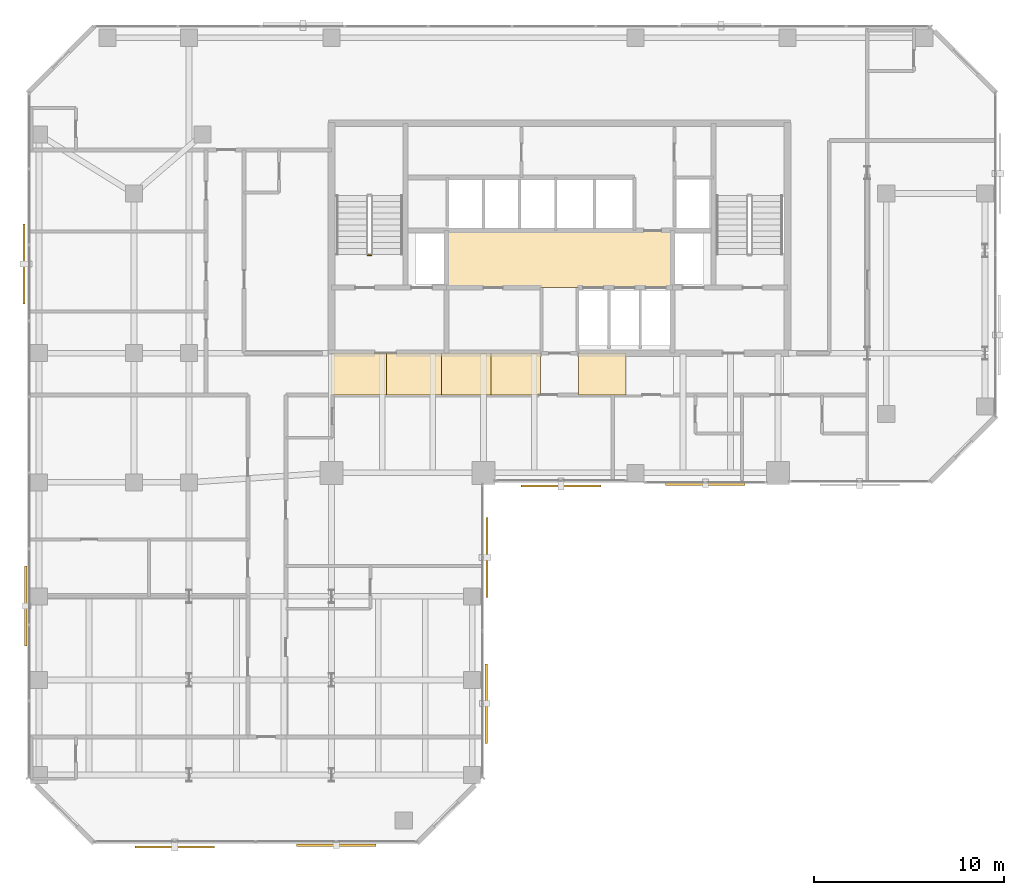
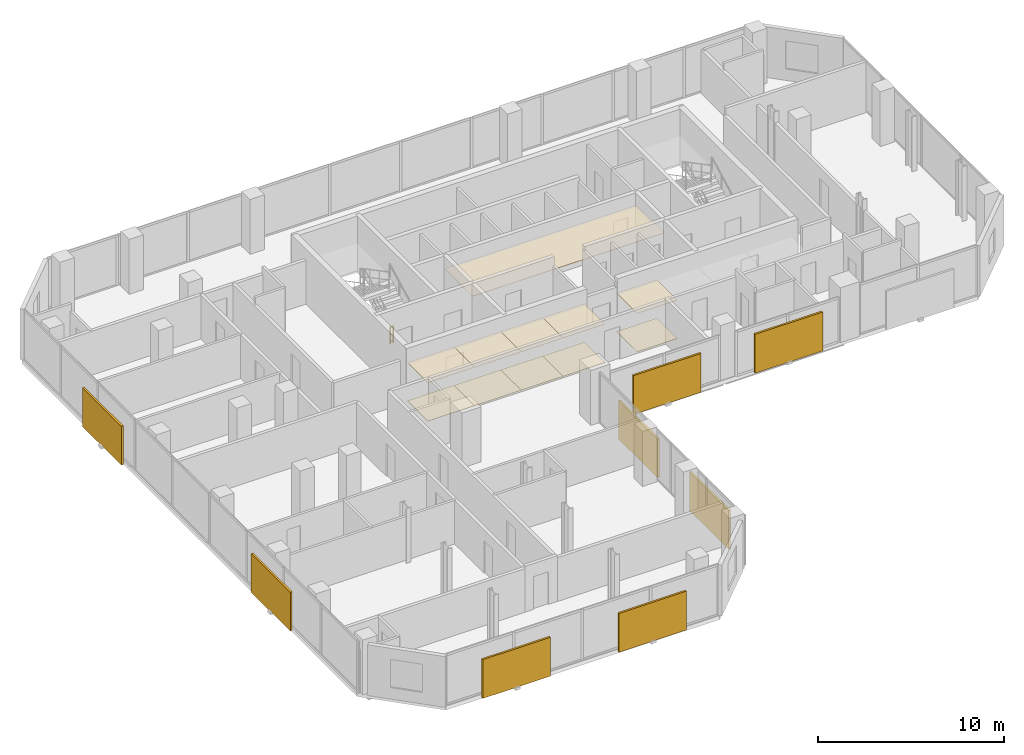
# One storey, part 33 of 34: 11 coverings, 8 shading devices, 1 railing.
"""IFC4 building model written with IfcOpenShell, lengths in metres."""

from ifc_helpers import new_model, si_unit, direction, frame, origin, origin_2d, place, context, subcontext, project, spatial, polyline, rectangle, circle, outline, extrude, material, layer, layer_set, type_object, element, save


model = new_model("IFC4")

# Units and contexts
model_context = context("Model", 3, precision=1e-05, world=origin(), true_north=direction((0.0, 1.0)))
body_context = subcontext(model_context, "Body", "Model", "MODEL_VIEW")
ifc_project = project(units=[si_unit("LENGTHUNIT", "METRE"), si_unit("AREAUNIT", "SQUARE_METRE"), si_unit("VOLUMEUNIT", "CUBIC_METRE"), si_unit("PLANEANGLEUNIT", "RADIAN"), si_unit("MASSUNIT", "GRAM", prefix="KILO")], contexts=[model_context])

# Site, building, storey
site_placement = place(None, origin())
site = spatial("IfcSite", under=ifc_project, at=site_placement, CompositionType="ELEMENT")
building_placement = place(site_placement, origin())
building = spatial("IfcBuilding", under=site, at=building_placement, Name="Catumbela Crestline Tower", CompositionType="ELEMENT")
storey_placement = place(building_placement, frame((0.0, 0.0, 115.2)))
storey = spatial("IfcBuildingStorey", under=building, at=storey_placement, Name="L29", CompositionType="ELEMENT", Elevation=115.2)

# Coverings
ifc_material_1 = material(Name="Mineral-fibre acoustic ceiling")
ifc_layer_1 = layer(ifc_material_1, 0.03, Name="Mineral-fibre acoustic ceiling")
ifc_layer_set_1 = layer_set([ifc_layer_1], Name="Mineral-fibre acoustic ceiling")
covering_type_1 = type_object("IfcCoveringType", Name="CC-AC", PredefinedType="CEILING", material=ifc_layer_set_1)
covering_1_placement = place(storey_placement, frame((0.0, 0.0, 2.65)))
element("IfcCovering", 1, at=covering_1_placement, inside=storey, type_object=covering_type_1, Name="L29 Lift Lobby Acoustic Ceiling", PredefinedType="CEILING", context=body_context, shape_type="SweptSolid", body=[
    extrude(outline(polyline([(22.05, 34.25), (33.95, 34.25), (33.95, 37.25), (22.05, 37.25), (22.05, 34.25)])), origin(), (0.0, 0.0, 1.0), 0.03),
])
covering_2_placement = place(storey_placement, frame((0.0, 0.0, 2.52)))
element("IfcCovering", 2, at=covering_2_placement, inside=storey, type_object=covering_type_1, Name="L29 Corridor Acoustic Ceiling Bay 1", PredefinedType="CEILING", context=body_context, shape_type="SweptSolid", body=[
    extrude(outline(polyline([(16.0, 28.6), (18.9, 28.6), (18.9, 30.8), (16.0, 30.8), (16.0, 28.6)])), origin(), (0.0, 0.0, 1.0), 0.03),
])
covering_3_placement = place(storey_placement, frame((0.0, 0.0, 2.52)))
element("IfcCovering", 3, at=covering_3_placement, inside=storey, type_object=covering_type_1, Name="L29 Corridor Acoustic Ceiling Bay 2", PredefinedType="CEILING", context=body_context, shape_type="SweptSolid", body=[
    extrude(outline(polyline([(18.9, 28.6), (21.8, 28.6), (21.8, 30.8), (18.9, 30.8), (18.9, 28.6)])), origin(), (0.0, 0.0, 1.0), 0.03),
])
covering_4_placement = place(storey_placement, frame((0.0, 0.0, 2.52)))
element("IfcCovering", 4, at=covering_4_placement, inside=storey, type_object=covering_type_1, Name="L29 Corridor Acoustic Ceiling Bay 3", PredefinedType="CEILING", context=body_context, shape_type="SweptSolid", body=[
    extrude(outline(polyline([(21.8, 28.6), (24.4, 28.6), (24.4, 30.8), (21.8, 30.8), (21.8, 28.6)])), origin(), (0.0, 0.0, 1.0), 0.03),
])
covering_5_placement = place(storey_placement, frame((0.0, 0.0, 2.52)))
element("IfcCovering", 5, at=covering_5_placement, inside=storey, type_object=covering_type_1, Name="L29 Corridor Acoustic Ceiling Bay 4", PredefinedType="CEILING", context=body_context, shape_type="SweptSolid", body=[
    extrude(outline(polyline([(24.4, 28.6), (27.0, 28.6), (27.0, 30.8), (24.4, 30.8), (24.4, 28.6)])), origin(), (0.0, 0.0, 1.0), 0.03),
])
covering_6_placement = place(storey_placement, frame((0.0, 0.0, 2.52)))
element("IfcCovering", 6, at=covering_6_placement, inside=storey, type_object=covering_type_1, Name="L29 Corridor Acoustic Ceiling Bay 5", PredefinedType="CEILING", context=body_context, shape_type="SweptSolid", body=[
    extrude(outline(polyline([(29.0, 28.6), (31.5, 28.6), (31.5, 30.8), (29.0, 30.8), (29.0, 28.6)])), origin(), (0.0, 0.0, 1.0), 0.03),
])
ifc_material_2 = material(Name="Angolan grey-ochre granite", Category="masonry")
ifc_layer_2 = layer(ifc_material_2, 0.025, Name="Angolan grey-ochre granite")
ifc_layer_set_2 = layer_set([ifc_layer_2], Name="Angolan grey-ochre granite")
covering_type_2 = type_object("IfcCoveringType", Name="CF-GR", PredefinedType="FLOORING", material=ifc_layer_set_2)
covering_7_placement = place(storey_placement, origin())
element("IfcCovering", 7, at=covering_7_placement, inside=storey, type_object=covering_type_2, Name="L29 Corridor Granite Flooring Bay 1", PredefinedType="FLOORING", context=body_context, shape_type="SweptSolid", body=[
    extrude(outline(polyline([(16.0, 28.6), (18.9, 28.6), (18.9, 30.8), (16.0, 30.8), (16.0, 28.6)])), origin(), (0.0, 0.0, 1.0), 0.025),
])
covering_8_placement = place(storey_placement, origin())
element("IfcCovering", 8, at=covering_8_placement, inside=storey, type_object=covering_type_2, Name="L29 Corridor Granite Flooring Bay 2", PredefinedType="FLOORING", context=body_context, shape_type="SweptSolid", body=[
    extrude(outline(polyline([(18.9, 28.6), (21.8, 28.6), (21.8, 30.8), (18.9, 30.8), (18.9, 28.6)])), origin(), (0.0, 0.0, 1.0), 0.025),
])
covering_9_placement = place(storey_placement, origin())
element("IfcCovering", 9, at=covering_9_placement, inside=storey, type_object=covering_type_2, Name="L29 Corridor Granite Flooring Bay 3", PredefinedType="FLOORING", context=body_context, shape_type="SweptSolid", body=[
    extrude(outline(polyline([(21.8, 28.6), (24.4, 28.6), (24.4, 30.8), (21.8, 30.8), (21.8, 28.6)])), origin(), (0.0, 0.0, 1.0), 0.025),
])
covering_10_placement = place(storey_placement, origin())
element("IfcCovering", 10, at=covering_10_placement, inside=storey, type_object=covering_type_2, Name="L29 Corridor Granite Flooring Bay 4", PredefinedType="FLOORING", context=body_context, shape_type="SweptSolid", body=[
    extrude(outline(polyline([(24.4, 28.6), (27.0, 28.6), (27.0, 30.8), (24.4, 30.8), (24.4, 28.6)])), origin(), (0.0, 0.0, 1.0), 0.025),
])
covering_11_placement = place(storey_placement, origin())
element("IfcCovering", 11, at=covering_11_placement, inside=storey, type_object=covering_type_2, Name="L29 Corridor Granite Flooring Bay 5", PredefinedType="FLOORING", context=body_context, shape_type="SweptSolid", body=[
    extrude(outline(polyline([(29.0, 28.6), (31.5, 28.6), (31.5, 30.8), (29.0, 30.8), (29.0, 28.6)])), origin(), (0.0, 0.0, 1.0), 0.025),
])

# Railing
ifc_material_3 = material(Name="Stainless steel EN 1.4401", Category="steel")
railing_type = type_object("IfcRailingType", Name="RG-1100", PredefinedType="GUARDRAIL", material=ifc_material_3)
railing_placement = place(storey_placement, frame((18.09, 35.95, 0.0)))
element("IfcRailing", 12, at=railing_placement, inside=storey, type_object=railing_type, Name="L29 ST-01 stair guard 4", PredefinedType="GUARDRAIL", context=body_context, shape_type="SweptSolid", body=[
    extrude(circle(Radius=0.024, at=origin_2d()), frame((0.0, 0.0, 1.076), z_axis=(-1.0, 0.0, 0.0), x_axis=(0.0, -1.0, 0.0)), (0.0, 0.0, 1.0), 0.18),
    extrude(circle(Radius=0.0156, at=origin_2d()), frame((0.0, 0.0, 0.55), z_axis=(-1.0, 0.0, 0.0), x_axis=(0.0, -1.0, 0.0)), (0.0, 0.0, 1.0), 0.18),
    extrude(circle(Radius=0.0156, at=origin_2d()), frame((0.0, 0.0, 0.12), z_axis=(-1.0, 0.0, 0.0), x_axis=(0.0, -1.0, 0.0)), (0.0, 0.0, 1.0), 0.18),
    extrude(circle(Radius=0.021, at=origin_2d()), origin(), (0.0, 0.0, 1.0), 1.052),
    extrude(circle(Radius=0.021, at=origin_2d()), frame((-0.18, 0.0, 0.0)), (0.0, 0.0, 1.0), 1.052),
])

# Shading devices
ifc_material_4 = material(Name="Extruded terracotta ceramic", Category="masonry")
shading_device_type_1 = type_object("IfcShadingDeviceType", Name="ST-180", PredefinedType="USERDEFINED", material=ifc_material_4)
for number, where, z_axis, x_axis, name in (
    (13, (16.25, 4.901, -0.1), (0.0, 0.0, 1.0), (1.0, 0.0, 0.0), "L29 Perforated Terracotta Solar Screen 303 (180 mm)"),
    (14, (35.675, 23.901, -0.1), (0.0, 0.0, 1.0), (1.0, 0.0, 0.0), "L29 Perforated Terracotta Solar Screen 307 (180 mm)"),
    (15, (-0.099, 17.5, -0.1), (0.0, 0.0, 1.0), (0.0, -1.0, 0.0), "L29 Perforated Terracotta Solar Screen 314 (180 mm)"),
):
    element("IfcShadingDevice", number, at=place(storey_placement, frame(where, z_axis=z_axis, x_axis=x_axis)), inside=storey, type_object=shading_device_type_1, Name=name, ObjectType="SCREEN", PredefinedType="USERDEFINED", context=body_context, shape_type="SweptSolid", body=[
        extrude(rectangle(XDim=4.2, YDim=0.12, at=origin_2d()), origin(), (0.0, 0.0, 1.0), 2.55),
    ])
shading_device_type_2 = type_object("IfcShadingDeviceType", Name="ST-260", PredefinedType="USERDEFINED", material=ifc_material_4)
shading_device_placement = place(storey_placement, frame((24.143, 12.35, -0.1), z_axis=(0.0, 0.0, 1.0), x_axis=(0.0, 1.0, 0.0)))
element("IfcShadingDevice", 16, at=shading_device_placement, inside=storey, type_object=shading_device_type_2, Name="L29 Perforated Terracotta Solar Screen 304 (260 mm)", ObjectType="SCREEN", PredefinedType="USERDEFINED", context=body_context, shape_type="SweptSolid", body=[
    extrude(rectangle(XDim=4.2, YDim=0.12, at=origin_2d()), origin(), (0.0, 0.0, 1.0), 2.55),
])
shading_device_type_3 = type_object("IfcShadingDeviceType", Name="ST-340", PredefinedType="USERDEFINED", material=ifc_material_4)
for number, where, z_axis, x_axis, name in (
    (17, (7.75, 4.813, -0.1), (0.0, 0.0, 1.0), (1.0, 0.0, 0.0), "L29 Perforated Terracotta Solar Screen 302 (340 mm)"),
    (18, (24.187, 20.05, -0.1), (0.0, 0.0, 1.0), (0.0, 1.0, 0.0), "L29 Perforated Terracotta Solar Screen 305 (340 mm)"),
    (19, (28.075, 23.813, -0.1), (0.0, 0.0, 1.0), (1.0, 0.0, 0.0), "L29 Perforated Terracotta Solar Screen 306 (340 mm)"),
    (20, (-0.187, 35.5, -0.1), (0.0, 0.0, 1.0), (0.0, -1.0, 0.0), "L29 Perforated Terracotta Solar Screen 313 (340 mm)"),
):
    element("IfcShadingDevice", number, at=place(storey_placement, frame(where, z_axis=z_axis, x_axis=x_axis)), inside=storey, type_object=shading_device_type_3, Name=name, ObjectType="SCREEN", PredefinedType="USERDEFINED", context=body_context, shape_type="SweptSolid", body=[
        extrude(rectangle(XDim=4.2, YDim=0.12, at=origin_2d()), origin(), (0.0, 0.0, 1.0), 2.55),
    ])

save(model, "model.ifc")
